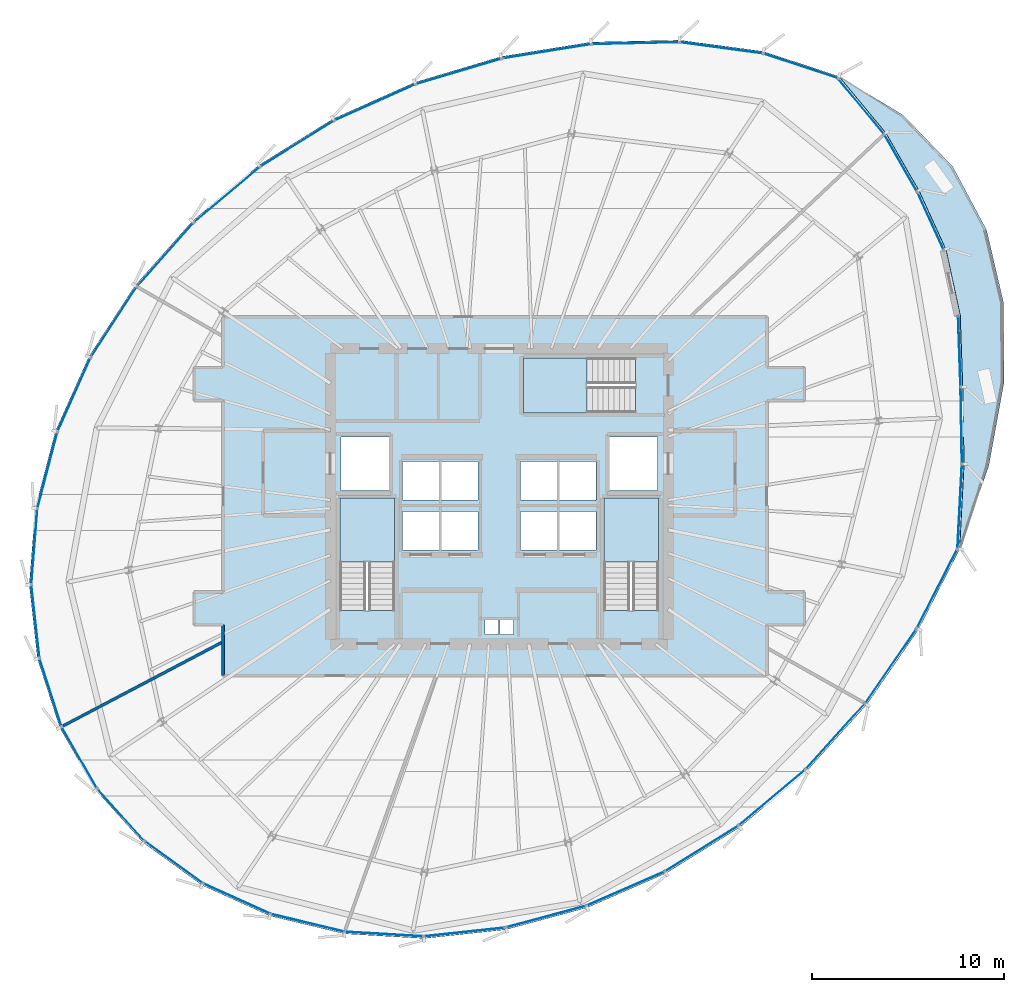
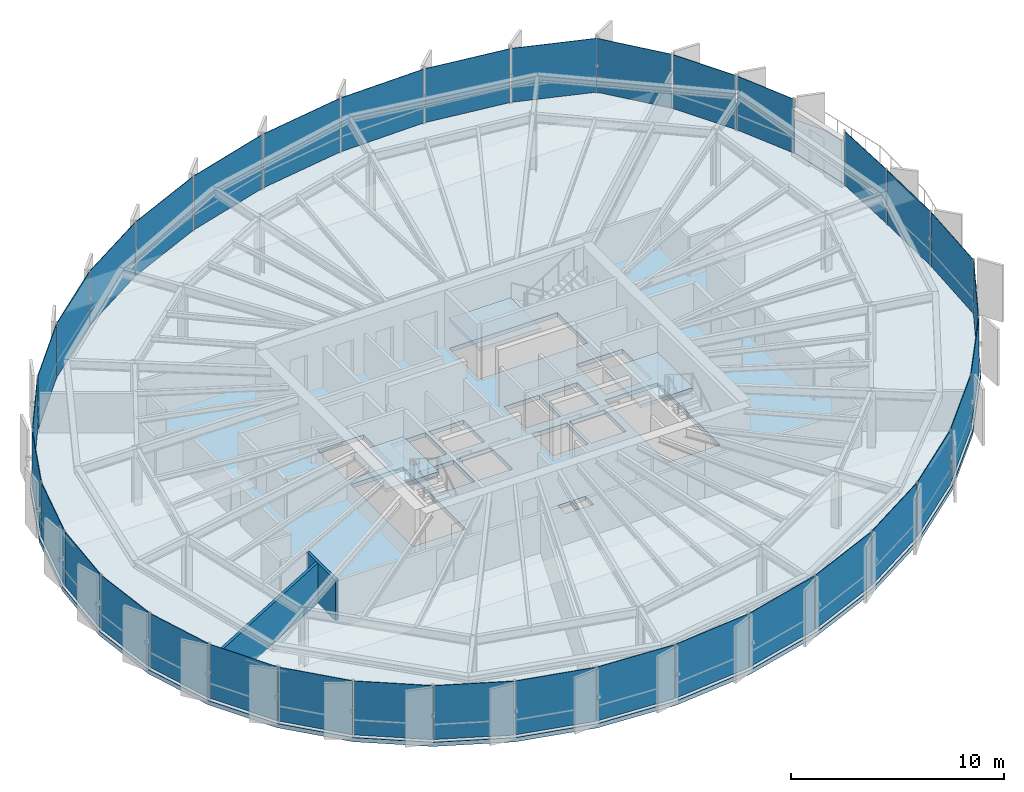
# One storey, part 29 of 35: 35 plates, 5 slabs, 2 walls, 10 elements without a shape of their own.
"""IFC4 building model written with IfcOpenShell, lengths in metres."""

from ifc_helpers import new_model, si_unit, direction, frame, frame_2d, origin, origin_2d, place, context, subcontext, project, spatial, polyline, rectangle, outline, extrude, source, transform, mapped, material, layer, layer_set, type_object, element, aggregate, save


model = new_model("IFC4")

# Units and contexts
model_context = context("Model", 3, precision=1e-05, world=origin(), true_north=direction((0.0, 1.0)))
body_context = subcontext(model_context, "Body", "Model", "MODEL_VIEW")
ifc_project = project(units=[si_unit("LENGTHUNIT", "METRE"), si_unit("AREAUNIT", "SQUARE_METRE"), si_unit("VOLUMEUNIT", "CUBIC_METRE"), si_unit("PLANEANGLEUNIT", "RADIAN"), si_unit("MASSUNIT", "GRAM", prefix="KILO"), si_unit("THERMODYNAMICTEMPERATUREUNIT", "KELVIN")], contexts=[model_context])

# Site, building, storey
site_placement = place(None, origin())
site = spatial("IfcSite", under=ifc_project, at=site_placement, CompositionType="ELEMENT")
building_placement = place(site_placement, origin())
building = spatial("IfcBuilding", under=site, at=building_placement, Name="Kethvar Cultural Tower", CompositionType="ELEMENT")
storey_placement = place(building_placement, frame((0.0, 0.0, 179.89990234375)))
storey = spatial("IfcBuildingStorey", under=building, at=storey_placement, Name="L46", CompositionType="ELEMENT", Elevation=179.89990234375)

# Stair, slab
ifc_material_1 = material(Name="Concrete C40/50", Category="concrete")
stair_type = type_object("IfcStairType", Name="ST-DOGLEG-135", PredefinedType="HALF_TURN_STAIR", material=ifc_material_1)
stair_1_placement = place(storey_placement, origin())
stair_1 = element("IfcStair", 1, at=stair_1_placement, inside=storey, type_object=stair_type, Name="L46 Core Exit Stair 1", PredefinedType="HALF_TURN_STAIR")
ifc_layer_1 = layer(ifc_material_1, 0.199951171875, Name="Concrete C40/50", Category="concrete")
ifc_layer_set_1 = layer_set([ifc_layer_1], Name="Concrete C40/50 (200 mm)")
slab_type_1 = type_object("IfcSlabType", Name="SL-STAIR-LANDING-200", PredefinedType="LANDING", material=ifc_layer_set_1)
slab_1_placement = place(storey_placement, frame((0.0, 0.0, 1.550048828125)))
slab_1 = element("IfcSlab", 2, at=slab_1_placement, type_object=slab_type_1, Name="ST-01 landing 1", PredefinedType="LANDING", context=body_context, shape_type="SweptSolid", body=[
    extrude(outline(polyline([(41.35009765625, 24.3701171875), (41.35009765625, 27.699951171875), (38.489990234375, 27.699951171875), (38.489990234375, 24.3701171875), (41.35009765625, 24.3701171875)])), origin(), (0.0, 0.0, 1.0), 0.199951171875),
])
aggregate(stair_1, [slab_1])

stair_2_placement = place(storey_placement, origin())
stair_2 = element("IfcStair", 3, at=stair_2_placement, inside=storey, type_object=stair_type, Name="L46 Core Exit Stair 2", PredefinedType="HALF_TURN_STAIR")
slab_2_placement = place(storey_placement, frame((0.0, 0.0, 1.550048828125)))
slab_2 = element("IfcSlab", 4, at=slab_2_placement, type_object=slab_type_1, Name="ST-02 landing 1", PredefinedType="LANDING", context=body_context, shape_type="SweptSolid", body=[
    extrude(outline(polyline([(55.110107421875, 24.3701171875), (55.110107421875, 27.699951171875), (52.25, 27.699951171875), (52.25, 24.3701171875), (55.110107421875, 24.3701171875)])), origin(), (0.0, 0.0, 1.0), 0.199951171875),
])
aggregate(stair_2, [slab_2])

stair_3_placement = place(storey_placement, origin())
stair_3 = element("IfcStair", 5, at=stair_3_placement, inside=storey, type_object=stair_type, Name="L46 Core Exit Stair 3", PredefinedType="HALF_TURN_STAIR")
slab_3_placement = place(storey_placement, frame((0.0, 0.0, 1.550048828125)))
slab_3 = element("IfcSlab", 6, at=slab_3_placement, type_object=slab_type_1, Name="ST-03 landing 1", PredefinedType="LANDING", context=body_context, shape_type="SweptSolid", body=[
    extrude(outline(polyline([(51.3798828125, 35.010009765625), (48.050048828125, 35.010009765625), (48.050048828125, 32.14990234375), (51.3798828125, 32.14990234375), (51.3798828125, 35.010009765625)])), origin(), (0.0, 0.0, 1.0), 0.199951171875),
])
aggregate(stair_3, [slab_3])

# Slabs
ifc_layer_2 = layer(ifc_material_1, 0.215087890625, Name="Concrete C40/50", Category="concrete")
ifc_layer_set_2 = layer_set([ifc_layer_2], Name="Concrete C40/50 (215 mm)")
slab_type_2 = type_object("IfcSlabType", Name="SL-TER-EXT", PredefinedType="FLOOR", material=ifc_layer_set_2)
slab_4_placement = place(storey_placement, frame((0.0, 0.0, -0.21484375)))
element("IfcSlab", 7, at=slab_4_placement, inside=storey, type_object=slab_type_2, Name="L46 Spiralling Sky Terrace Deck", PredefinedType="FLOOR", context=body_context, shape_type="SweptSolid", body=[
    extrude(outline(polyline([(70.796875, 25.033935546875), (72.318359375, 29.3896484375), (73.110107421875, 33.730224609375), (73.089111328125, 37.881103515625), (72.203125, 41.677490234375), (70.44287109375, 44.9775390625), (67.84814453125, 47.67138671875), (64.511474609375, 49.687255859375), (66.950439453125, 46.74169921875), (68.693603515625, 43.706787109375), (70.091064453125, 40.647216796875), (70.830078125, 37.2333984375), (70.959716796875, 33.50439453125), (71.02880859375, 29.47998046875), (70.796875, 25.033935546875)])), origin(), (0.0, 0.0, 1.0), 0.21484375),
])
ifc_layer_3 = layer(ifc_material_1, 0.239990234375, Name="Concrete C40/50", Category="concrete")
ifc_layer_set_3 = layer_set([ifc_layer_3], Name="Concrete C40/50 (240 mm)")
slab_type_3 = type_object("IfcSlabType", Name="SL-TOW-240", PredefinedType="FLOOR", material=ifc_layer_set_3)
slab_5_placement = place(storey_placement, frame((0.0, 0.0, -0.239990234375)))
element("IfcSlab", 8, at=slab_5_placement, inside=storey, type_object=slab_type_3, Name="L46 Structural Floor Slab", PredefinedType="FLOOR", context=body_context, shape_type="SweptSolid", body=[
    extrude(outline(polyline([(68.693603515625, 43.706787109375), (66.950439453125, 46.74169921875), (64.511474609375, 49.687255859375), (60.5703125, 50.98974609375), (56.197509765625, 51.578125), (51.584716796875, 51.47705078125), (46.9248046875, 50.727783203125), (42.39453125, 49.37890625), (38.139404296875, 47.47705078125), (34.26025390625, 45.0595703125), (30.794921875, 42.14111328125), (27.815673828125, 38.786865234375), (25.413330078125, 35.098876953125), (23.660888671875, 31.189208984375), (22.611328125, 27.17626953125), (22.296875, 23.1826171875), (22.726806640625, 19.3291015625), (23.888427734375, 15.73291015625), (25.74609375, 12.50341796875), (28.243408203125, 9.73876953125), (31.3046875, 7.522705078125), (34.836669921875, 5.923095703125), (38.732177734375, 4.988037109375), (42.872802734375, 4.74609375), (47.1328125, 5.20458984375), (51.382568359375, 6.349609375), (55.493408203125, 8.146484375), (59.339599609375, 10.54052734375), (62.837646484375, 13.482666015625), (65.96142578125, 16.94189453125), (68.644287109375, 20.83349609375), (70.796875, 25.033935546875), (71.02880859375, 29.47998046875), (70.959716796875, 33.50439453125), (70.830078125, 37.2333984375), (70.091064453125, 40.647216796875), (68.693603515625, 43.706787109375)]), holes=[polyline([(38.489990234375, 21.85009765625), (38.489990234375, 27.699951171875), (41.35009765625, 27.699951171875), (41.35009765625, 21.85009765625), (38.489990234375, 21.85009765625)]), polyline([(52.25, 21.85009765625), (52.25, 27.699951171875), (55.110107421875, 27.699951171875), (55.110107421875, 21.85009765625), (52.25, 21.85009765625)]), polyline([(53.89990234375, 32.14990234375), (48.050048828125, 32.14990234375), (48.050048828125, 35.010009765625), (53.89990234375, 35.010009765625), (53.89990234375, 32.14990234375)]), polyline([(41.75, 27.0), (43.64990234375, 27.0), (43.64990234375, 25.0), (41.75, 25.0), (41.75, 27.0)]), polyline([(43.800048828125, 27.0), (45.699951171875, 27.0), (45.699951171875, 25.0), (43.800048828125, 25.0), (43.800048828125, 27.0)]), polyline([(47.89990234375, 27.0), (49.800048828125, 27.0), (49.800048828125, 25.0), (47.89990234375, 25.0), (47.89990234375, 27.0)]), polyline([(49.949951171875, 27.0), (51.85009765625, 27.0), (51.85009765625, 25.0), (49.949951171875, 25.0), (49.949951171875, 27.0)]), polyline([(41.75, 29.60009765625), (43.64990234375, 29.60009765625), (43.64990234375, 27.60009765625), (41.75, 27.60009765625), (41.75, 29.60009765625)]), polyline([(43.800048828125, 29.60009765625), (45.699951171875, 29.60009765625), (45.699951171875, 27.60009765625), (43.800048828125, 27.60009765625), (43.800048828125, 29.60009765625)]), polyline([(47.89990234375, 29.60009765625), (49.800048828125, 29.60009765625), (49.800048828125, 27.60009765625), (47.89990234375, 27.60009765625), (47.89990234375, 29.60009765625)]), polyline([(49.949951171875, 29.60009765625), (51.85009765625, 29.60009765625), (51.85009765625, 27.60009765625), (49.949951171875, 27.60009765625), (49.949951171875, 29.60009765625)]), polyline([(38.550048828125, 30.89990234375), (41.050048828125, 30.89990234375), (41.050048828125, 28.10009765625), (38.550048828125, 28.10009765625), (38.550048828125, 30.89990234375)]), polyline([(52.550048828125, 30.89990234375), (55.050048828125, 30.89990234375), (55.050048828125, 28.10009765625), (52.550048828125, 28.10009765625), (52.550048828125, 30.89990234375)]), polyline([(46.050048828125, 21.35009765625), (46.75, 21.35009765625), (46.75, 20.60009765625), (46.050048828125, 20.60009765625), (46.050048828125, 21.35009765625)]), polyline([(46.85009765625, 21.35009765625), (47.550048828125, 21.35009765625), (47.550048828125, 20.60009765625), (46.85009765625, 20.60009765625), (46.85009765625, 21.35009765625)])]), origin(), (0.0, 0.0, 1.0), 0.239990234375),
])

# Curtain wall, plates
ifc_material_2 = material(Name="Aluminium 6063-T6", Category="aluminium")
ifc_layer_4 = layer(ifc_material_2, 0.179931640625, Name="Aluminium 6063-T6", Category="aluminium")
ifc_layer_set_4 = layer_set([ifc_layer_4], Name="Aluminium 6063-T6 (180 mm)")
curtain_wall_type = type_object("IfcCurtainWallType", Name="CW-SYS-04-Z34", PredefinedType="NOTDEFINED", material=ifc_layer_set_4)
curtain_wall_1_placement = place(storey_placement, origin())
curtain_wall_1 = element("IfcCurtainWall", 9, at=curtain_wall_1_placement, inside=storey, type_object=curtain_wall_type, Name="L46 Curtain Wall Run 01", PredefinedType="NOTDEFINED")
ifc_material_3 = material(Name="Insulated Low-E Solar Glass", Category="glass")
ifc_layer_5 = layer(ifc_material_3, 0.030029296875, Name="Insulated Low-E Solar Glass", Category="glass")
ifc_layer_set_5 = layer_set([ifc_layer_5], Name="Insulated Low-E Solar Glass (30 mm)")
plate_type = type_object("IfcPlateType", Name="CW-SYS-04-Z34-PNL", PredefinedType="CURTAIN_PANEL", material=ifc_layer_set_5)
shared_shape_1 = source(origin(), body_context, "Body", "SweptSolid", [
    extrude(rectangle(XDim=3.413818359375, YDim=0.030029296875, at=origin_2d()), origin(), (0.0, 0.0, 1.0), 3.080078125),
])
plate_1_placement = place(storey_placement, frame((67.726806640625, 45.16943359375, 0.090087890625), z_axis=(0.0, 0.0, 1.0), x_axis=(-0.498064034575, 0.867140252475, 0.0)))
plate_1 = element("IfcPlate", 10, at=plate_1_placement, type_object=plate_type, Name="CW-L46-R01 Vision Glazing Panel 1", PredefinedType="CURTAIN_PANEL", context=body_context, shape_type="MappedRepresentation", body=[
    mapped(shared_shape_1, transform((0.0, 0.0, 0.0), scale=1.0)),
])
shared_shape_2 = source(origin(), body_context, "Body", "SweptSolid", [
    extrude(rectangle(XDim=3.73779296875, YDim=0.030029296875, at=origin_2d()), origin(), (0.0, 0.0, 1.0), 3.080078125),
])
plate_2_placement = place(storey_placement, frame((65.646240234375, 48.144287109375, 0.090087890625), z_axis=(0.0, 0.0, 1.0), x_axis=(-0.637787014772, 0.770212778256, 0.0)))
plate_2 = element("IfcPlate", 11, at=plate_2_placement, type_object=plate_type, Name="CW-L46-R01 Vision Glazing Panel 2", PredefinedType="CURTAIN_PANEL", context=body_context, shape_type="MappedRepresentation", body=[
    mapped(shared_shape_2, transform((0.0, 0.0, 0.0), scale=1.0)),
])
shared_shape_3 = source(origin(), body_context, "Body", "SweptSolid", [
    extrude(rectangle(XDim=4.064453125, YDim=0.030029296875, at=origin_2d()), origin(), (0.0, 0.0, 1.0), 3.080078125),
])
plate_3_placement = place(storey_placement, frame((62.50634765625, 50.23388671875, 0.090087890625), z_axis=(0.0, 0.0, 1.0), x_axis=(-0.949491219244, 0.313793601875, 0.0)))
plate_3 = element("IfcPlate", 12, at=plate_3_placement, type_object=plate_type, Name="CW-L46-R01 Vision Glazing Panel 3", PredefinedType="CURTAIN_PANEL", context=body_context, shape_type="MappedRepresentation", body=[
    mapped(shared_shape_3, transform((0.0, 0.0, 0.0), scale=1.0)),
])
shared_shape_4 = source(origin(), body_context, "Body", "SweptSolid", [
    extrude(rectangle(XDim=4.32568359375, YDim=0.030029296875, at=origin_2d()), origin(), (0.0, 0.0, 1.0), 3.080078125),
])
plate_4_placement = place(storey_placement, frame((58.369140625, 51.1748046875, 0.090087890625), z_axis=(0.0, 0.0, 1.0), x_axis=(-0.9910671901, 0.133363505903, 0.0)))
plate_4 = element("IfcPlate", 13, at=plate_4_placement, type_object=plate_type, Name="CW-L46-R01 Vision Glazing Panel 4", PredefinedType="CURTAIN_PANEL", context=body_context, shape_type="MappedRepresentation", body=[
    mapped(shared_shape_4, transform((0.0, 0.0, 0.0), scale=1.0)),
])
shared_shape_5 = source(origin(), body_context, "Body", "SweptSolid", [
    extrude(rectangle(XDim=4.52734375, YDim=0.030029296875, at=origin_2d()), origin(), (0.0, 0.0, 1.0), 3.080078125),
])
plate_5_placement = place(storey_placement, frame((53.8935546875, 51.41748046875, 0.090087890625), z_axis=(0.0, 0.0, 1.0), x_axis=(-0.999759737149, -0.021919579749, 0.0)))
plate_5 = element("IfcPlate", 14, at=plate_5_placement, type_object=plate_type, Name="CW-L46-R01 Vision Glazing Panel 5", PredefinedType="CURTAIN_PANEL", context=body_context, shape_type="MappedRepresentation", body=[
    mapped(shared_shape_5, transform((0.0, 0.0, 0.0), scale=1.0)),
])
shared_shape_6 = source(origin(), body_context, "Body", "SweptSolid", [
    extrude(rectangle(XDim=4.63330078125, YDim=0.030029296875, at=origin_2d()), origin(), (0.0, 0.0, 1.0), 3.080078125),
])
plate_6_placement = place(storey_placement, frame((49.272216796875, 50.993896484375, 0.090087890625), z_axis=(0.0, 0.0, 1.0), x_axis=(-0.987325320626, -0.158709518463, 0.0)))
plate_6 = element("IfcPlate", 15, at=plate_6_placement, type_object=plate_type, Name="CW-L46-R01 Vision Glazing Panel 6", PredefinedType="CURTAIN_PANEL", context=body_context, shape_type="MappedRepresentation", body=[
    mapped(shared_shape_6, transform((0.0, 0.0, 0.0), scale=1.0)),
])
aggregate(curtain_wall_1, [plate_1, plate_2, plate_3, plate_4, plate_5, plate_6])

# Curtain wall, plate
curtain_wall_2_placement = place(storey_placement, origin())
curtain_wall_2 = element("IfcCurtainWall", 16, at=curtain_wall_2_placement, inside=storey, type_object=curtain_wall_type, Name="L46 Curtain Wall Run 06", PredefinedType="NOTDEFINED")
plate_7_placement = place(storey_placement, frame((69.62255859375, 22.98388671875, 0.090087890625), z_axis=(0.0, 0.0, 1.0), x_axis=(0.456057557415, 0.88995028194, 0.0)))
plate_7 = element("IfcPlate", 17, at=plate_7_placement, type_object=plate_type, Name="CW-L46-R06 Vision Glazing Panel 1", PredefinedType="CURTAIN_PANEL", context=body_context, shape_type="MappedRepresentation", body=[
    mapped(shared_shape_6, transform((0.0, 0.0, 0.0), scale=1.0)),
])

curtain_wall_3_placement = place(storey_placement, origin())
curtain_wall_3 = element("IfcCurtainWall", 18, at=curtain_wall_3_placement, inside=storey, type_object=curtain_wall_type, Name="L46 Curtain Wall Run 02", PredefinedType="NOTDEFINED")
shared_shape_7 = source(origin(), body_context, "Body", "SweptSolid", [
    extrude(rectangle(XDim=4.640380859375, YDim=0.030029296875, at=origin_2d()), origin(), (0.0, 0.0, 1.0), 3.080078125),
])
plate_8_placement = place(storey_placement, frame((44.691162109375, 49.947998046875, 0.090087890625), z_axis=(0.0, 0.0, 1.0), x_axis=(-0.958417259622, -0.285370559902, 0.0)))
plate_8 = element("IfcPlate", 19, at=plate_8_placement, type_object=plate_type, Name="CW-L46-R02 Vision Glazing Panel 1", PredefinedType="CURTAIN_PANEL", context=body_context, shape_type="MappedRepresentation", body=[
    mapped(shared_shape_7, transform((0.0, 0.0, 0.0), scale=1.0)),
])

curtain_wall_4_placement = place(storey_placement, origin())
curtain_wall_4 = element("IfcCurtainWall", 20, at=curtain_wall_4_placement, inside=storey, type_object=curtain_wall_type, Name="L46 Curtain Wall Run 05", PredefinedType="NOTDEFINED")
plate_9_placement = place(storey_placement, frame((67.21240234375, 18.9501953125, 0.090087890625), z_axis=(0.0, 0.0, 1.0), x_axis=(0.567556381667, 0.823334533242, 0.0)))
plate_9 = element("IfcPlate", 21, at=plate_9_placement, type_object=plate_type, Name="CW-L46-R05 Vision Glazing Panel 6", PredefinedType="CURTAIN_PANEL", context=body_context, shape_type="MappedRepresentation", body=[
    mapped(shared_shape_7, transform((0.0, 0.0, 0.0), scale=1.0)),
])

# Plate
shared_shape_8 = source(origin(), body_context, "Body", "SweptSolid", [
    extrude(rectangle(XDim=4.574462890625, YDim=0.030029296875, at=origin_2d()), origin(), (0.0, 0.0, 1.0), 3.080078125),
])
plate_10_placement = place(storey_placement, frame((40.311767578125, 48.32763671875, 0.090087890625), z_axis=(0.0, 0.0, 1.0), x_axis=(-0.912955291137, -0.408059599059, 0.0)))
plate_10 = element("IfcPlate", 22, at=plate_10_placement, type_object=plate_type, Name="CW-L46-R02 Vision Glazing Panel 2", PredefinedType="CURTAIN_PANEL", context=body_context, shape_type="MappedRepresentation", body=[
    mapped(shared_shape_8, transform((0.0, 0.0, 0.0), scale=1.0)),
])

plate_11_placement = place(storey_placement, frame((64.31787109375, 15.285888671875, 0.090087890625), z_axis=(0.0, 0.0, 1.0), x_axis=(0.670206440788, 0.742174727895, 0.0)))
plate_11 = element("IfcPlate", 23, at=plate_11_placement, type_object=plate_type, Name="CW-L46-R05 Vision Glazing Panel 5", PredefinedType="CURTAIN_PANEL", context=body_context, shape_type="MappedRepresentation", body=[
    mapped(shared_shape_8, transform((0.0, 0.0, 0.0), scale=1.0)),
])

shared_shape_9 = source(origin(), body_context, "Body", "SweptSolid", [
    extrude(rectangle(XDim=4.484375, YDim=0.030029296875, at=origin_2d()), origin(), (0.0, 0.0, 1.0), 3.080078125),
])
plate_12_placement = place(storey_placement, frame((36.258056640625, 46.1748046875, 0.090087890625), z_axis=(0.0, 0.0, 1.0), x_axis=(-0.8486671882, -0.528927219636, 0.0)))
plate_12 = element("IfcPlate", 24, at=plate_12_placement, type_object=plate_type, Name="CW-L46-R02 Vision Glazing Panel 3", PredefinedType="CURTAIN_PANEL", context=body_context, shape_type="MappedRepresentation", body=[
    mapped(shared_shape_9, transform((0.0, 0.0, 0.0), scale=1.0)),
])

plate_13_placement = place(storey_placement, frame((61.017822265625, 12.095703125, 0.090087890625), z_axis=(0.0, 0.0, 1.0), x_axis=(0.765292262603, 0.643682959849, 0.0)))
plate_13 = element("IfcPlate", 25, at=plate_13_placement, type_object=plate_type, Name="CW-L46-R05 Vision Glazing Panel 4", PredefinedType="CURTAIN_PANEL", context=body_context, shape_type="MappedRepresentation", body=[
    mapped(shared_shape_9, transform((0.0, 0.0, 0.0), scale=1.0)),
])

shared_shape_10 = source(origin(), body_context, "Body", "SweptSolid", [
    extrude(rectangle(XDim=4.4443359375, YDim=0.030029296875, at=origin_2d()), origin(), (0.0, 0.0, 1.0), 3.080078125),
])
plate_14_placement = place(storey_placement, frame((32.598388671875, 43.51611328125, 0.090087890625), z_axis=(0.0, 0.0, 1.0), x_axis=(-0.764887673636, -0.644163680069, 0.0)))
plate_14 = element("IfcPlate", 26, at=plate_14_placement, type_object=plate_type, Name="CW-L46-R02 Vision Glazing Panel 4", PredefinedType="CURTAIN_PANEL", context=body_context, shape_type="MappedRepresentation", body=[
    mapped(shared_shape_10, transform((0.0, 0.0, 0.0), scale=1.0)),
])

shared_shape_11 = source(origin(), body_context, "Body", "SweptSolid", [
    extrude(rectangle(XDim=4.39990234375, YDim=0.030029296875, at=origin_2d()), origin(), (0.0, 0.0, 1.0), 3.080078125),
])
plate_15_placement = place(storey_placement, frame((29.387451171875, 40.390869140625, 0.090087890625), z_axis=(0.0, 0.0, 1.0), x_axis=(-0.664082816555, -0.747659021718, 0.0)))
plate_15 = element("IfcPlate", 27, at=plate_15_placement, type_object=plate_type, Name="CW-L46-R02 Vision Glazing Panel 5", PredefinedType="CURTAIN_PANEL", context=body_context, shape_type="MappedRepresentation", body=[
    mapped(shared_shape_11, transform((0.0, 0.0, 0.0), scale=1.0)),
])

plate_16_placement = place(storey_placement, frame((53.393798828125, 7.348876953125, 0.090087890625), z_axis=(0.0, 0.0, 1.0), x_axis=(0.916292841518, 0.400508961926, 0.0)))
plate_16 = element("IfcPlate", 28, at=plate_16_placement, type_object=plate_type, Name="CW-L46-R05 Vision Glazing Panel 2", PredefinedType="CURTAIN_PANEL", context=body_context, shape_type="MappedRepresentation", body=[
    mapped(shared_shape_11, transform((0.0, 0.0, 0.0), scale=1.0)),
])

shared_shape_12 = source(origin(), body_context, "Body", "SweptSolid", [
    extrude(rectangle(XDim=4.31494140625, YDim=0.030029296875, at=origin_2d()), origin(), (0.0, 0.0, 1.0), 3.080078125),
])
plate_17_placement = place(storey_placement, frame((26.70654296875, 36.8828125, 0.090087890625), z_axis=(0.0, 0.0, 1.0), x_axis=(-0.545809508754, -0.837909291125, 0.0)))
plate_17 = element("IfcPlate", 29, at=plate_17_placement, type_object=plate_type, Name="CW-L46-R02 Vision Glazing Panel 6", PredefinedType="CURTAIN_PANEL", context=body_context, shape_type="MappedRepresentation", body=[
    mapped(shared_shape_12, transform((0.0, 0.0, 0.0), scale=1.0)),
])

aggregate(curtain_wall_3, [plate_8, plate_10, plate_12, plate_14, plate_15, plate_17])

plate_18_placement = place(storey_placement, frame((49.22900390625, 5.88330078125, 0.090087890625), z_axis=(0.0, 0.0, 1.0), x_axis=(0.965563505285, 0.260167479254, 0.0)))
plate_18 = element("IfcPlate", 30, at=plate_18_placement, type_object=plate_type, Name="CW-L46-R05 Vision Glazing Panel 1", PredefinedType="CURTAIN_PANEL", context=body_context, shape_type="MappedRepresentation", body=[
    mapped(shared_shape_12, transform((0.0, 0.0, 0.0), scale=1.0)),
])

# Curtain wall, plate
curtain_wall_5_placement = place(storey_placement, origin())
curtain_wall_5 = element("IfcCurtainWall", 31, at=curtain_wall_5_placement, inside=storey, type_object=curtain_wall_type, Name="L46 Curtain Wall Run 03", PredefinedType="NOTDEFINED")
shared_shape_13 = source(origin(), body_context, "Body", "SweptSolid", [
    extrude(rectangle(XDim=4.1982421875, YDim=0.030029296875, at=origin_2d()), origin(), (0.0, 0.0, 1.0), 3.080078125),
])
plate_19_placement = place(storey_placement, frame((24.637451171875, 33.09912109375, 0.090087890625), z_axis=(0.0, 0.0, 1.0), x_axis=(-0.409015419686, -0.912527471619, 0.0)))
plate_19 = element("IfcPlate", 32, at=plate_19_placement, type_object=plate_type, Name="CW-L46-R03 Vision Glazing Panel 1", PredefinedType="CURTAIN_PANEL", context=body_context, shape_type="MappedRepresentation", body=[
    mapped(shared_shape_13, transform((0.0, 0.0, 0.0), scale=1.0)),
])

curtain_wall_6_placement = place(storey_placement, origin())
curtain_wall_6 = element("IfcCurtainWall", 33, at=curtain_wall_6_placement, inside=storey, type_object=curtain_wall_type, Name="L46 Curtain Wall Run 04", PredefinedType="NOTDEFINED")
plate_20_placement = place(storey_placement, frame((44.9912109375, 5.084716796875, 0.090087890625), z_axis=(0.0, 0.0, 1.0), x_axis=(0.994256045993, 0.107027636651, 0.0)))
plate_20 = element("IfcPlate", 34, at=plate_20_placement, type_object=plate_type, Name="CW-L46-R04 Vision Glazing Panel 6", PredefinedType="CURTAIN_PANEL", context=body_context, shape_type="MappedRepresentation", body=[
    mapped(shared_shape_13, transform((0.0, 0.0, 0.0), scale=1.0)),
])

# Plate
shared_shape_14 = source(origin(), body_context, "Body", "SweptSolid", [
    extrude(rectangle(XDim=4.061279296875, YDim=0.030029296875, at=origin_2d()), origin(), (0.0, 0.0, 1.0), 3.080078125),
])
plate_21_placement = place(storey_placement, frame((23.24267578125, 29.15478515625, 0.090087890625), z_axis=(0.0, 0.0, 1.0), x_axis=(-0.252998176081, -0.967466755449, 0.0)))
plate_21 = element("IfcPlate", 35, at=plate_21_placement, type_object=plate_type, Name="CW-L46-R03 Vision Glazing Panel 2", PredefinedType="CURTAIN_PANEL", context=body_context, shape_type="MappedRepresentation", body=[
    mapped(shared_shape_14, transform((0.0, 0.0, 0.0), scale=1.0)),
])

plate_22_placement = place(storey_placement, frame((40.808837890625, 4.976806640625, 0.090087890625), z_axis=(0.0, 0.0, 1.0), x_axis=(0.998296298024, -0.058348104954, 0.0)))
plate_22 = element("IfcPlate", 36, at=plate_22_placement, type_object=plate_type, Name="CW-L46-R04 Vision Glazing Panel 5", PredefinedType="CURTAIN_PANEL", context=body_context, shape_type="MappedRepresentation", body=[
    mapped(shared_shape_14, transform((0.0, 0.0, 0.0), scale=1.0)),
])

shared_shape_15 = source(origin(), body_context, "Body", "SweptSolid", [
    extrude(rectangle(XDim=3.919921875, YDim=0.030029296875, at=origin_2d()), origin(), (0.0, 0.0, 1.0), 3.080078125),
])
plate_23_placement = place(storey_placement, frame((22.56396484375, 25.170654296875, 0.090087890625), z_axis=(0.0, 0.0, 1.0), x_axis=(-0.07851129409, -0.996913224258, 0.0)))
plate_23 = element("IfcPlate", 37, at=plate_23_placement, type_object=plate_type, Name="CW-L46-R03 Vision Glazing Panel 3", PredefinedType="CURTAIN_PANEL", context=body_context, shape_type="MappedRepresentation", body=[
    mapped(shared_shape_15, transform((0.0, 0.0, 0.0), scale=1.0)),
])

plate_24_placement = place(storey_placement, frame((36.81005859375, 5.5625, 0.090087890625), z_axis=(0.0, 0.0, 1.0), x_axis=(0.972378068586, -0.2334114216, 0.0)))
plate_24 = element("IfcPlate", 38, at=plate_24_placement, type_object=plate_type, Name="CW-L46-R04 Vision Glazing Panel 4", PredefinedType="CURTAIN_PANEL", context=body_context, shape_type="MappedRepresentation", body=[
    mapped(shared_shape_15, transform((0.0, 0.0, 0.0), scale=1.0)),
])

shared_shape_16 = source(origin(), body_context, "Body", "SweptSolid", [
    extrude(rectangle(XDim=3.791015625, YDim=0.030029296875, at=origin_2d()), origin(), (0.0, 0.0, 1.0), 3.080078125),
])
plate_25_placement = place(storey_placement, frame((22.62109375, 21.267822265625, 0.090087890625), z_axis=(0.0, 0.0, 1.0), x_axis=(0.110896544517, -0.993831955823, 0.0)))
plate_25 = element("IfcPlate", 39, at=plate_25_placement, type_object=plate_type, Name="CW-L46-R03 Vision Glazing Panel 4", PredefinedType="CURTAIN_PANEL", context=body_context, shape_type="MappedRepresentation", body=[
    mapped(shared_shape_16, transform((0.0, 0.0, 0.0), scale=1.0)),
])

plate_26_placement = place(storey_placement, frame((33.115966796875, 6.8232421875, 0.090087890625), z_axis=(0.0, 0.0, 1.0), x_axis=(0.910921440814, -0.4125798452, 0.0)))
plate_26 = element("IfcPlate", 40, at=plate_26_placement, type_object=plate_type, Name="CW-L46-R04 Vision Glazing Panel 3", PredefinedType="CURTAIN_PANEL", context=body_context, shape_type="MappedRepresentation", body=[
    mapped(shared_shape_16, transform((0.0, 0.0, 0.0), scale=1.0)),
])

shared_shape_17 = source(origin(), body_context, "Body", "SweptSolid", [
    extrude(rectangle(XDim=3.692626953125, YDim=0.030029296875, at=origin_2d()), origin(), (0.0, 0.0, 1.0), 3.080078125),
])
plate_27_placement = place(storey_placement, frame((23.412353515625, 17.564697265625, 0.090087890625), z_axis=(0.0, 0.0, 1.0), x_axis=(0.3073566178, -0.951594403879, 0.0)))
plate_27 = element("IfcPlate", 41, at=plate_27_placement, type_object=plate_type, Name="CW-L46-R03 Vision Glazing Panel 5", PredefinedType="CURTAIN_PANEL", context=body_context, shape_type="MappedRepresentation", body=[
    mapped(shared_shape_17, transform((0.0, 0.0, 0.0), scale=1.0)),
])

plate_28_placement = place(storey_placement, frame((29.83837890625, 8.719970703125, 0.090087890625), z_axis=(0.0, 0.0, 1.0), x_axis=(0.810031406194, -0.58638649454, 0.0)))
plate_28 = element("IfcPlate", 42, at=plate_28_placement, type_object=plate_type, Name="CW-L46-R04 Vision Glazing Panel 2", PredefinedType="CURTAIN_PANEL", context=body_context, shape_type="MappedRepresentation", body=[
    mapped(shared_shape_17, transform((0.0, 0.0, 0.0), scale=1.0)),
])

shared_shape_18 = source(origin(), body_context, "Body", "SweptSolid", [
    extrude(rectangle(XDim=3.639404296875, YDim=0.030029296875, at=origin_2d()), origin(), (0.0, 0.0, 1.0), 3.080078125),
])
plate_29_placement = place(storey_placement, frame((24.91259765625, 14.173095703125, 0.090087890625), z_axis=(0.0, 0.0, 1.0), x_axis=(0.498623905426, -0.86681843597, 0.0)))
plate_29 = element("IfcPlate", 43, at=plate_29_placement, type_object=plate_type, Name="CW-L46-R03 Vision Glazing Panel 6", PredefinedType="CURTAIN_PANEL", context=body_context, shape_type="MappedRepresentation", body=[
    mapped(shared_shape_18, transform((0.0, 0.0, 0.0), scale=1.0)),
])

aggregate(curtain_wall_5, [plate_19, plate_21, plate_23, plate_25, plate_27, plate_29])

shared_shape_19 = source(origin(), body_context, "Body", "SweptSolid", [
    extrude(rectangle(XDim=3.63916015625, YDim=0.030029296875, at=origin_2d()), origin(), (0.0, 0.0, 1.0), 3.080078125),
])
plate_30_placement = place(storey_placement, frame((27.076416015625, 11.19482421875, 0.090087890625), z_axis=(0.0, 0.0, 1.0), x_axis=(0.670323013053, -0.742069442958, 0.0)))
plate_30 = element("IfcPlate", 44, at=plate_30_placement, type_object=plate_type, Name="CW-L46-R04 Vision Glazing Panel 1", PredefinedType="CURTAIN_PANEL", context=body_context, shape_type="MappedRepresentation", body=[
    mapped(shared_shape_19, transform((0.0, 0.0, 0.0), scale=1.0)),
])

aggregate(curtain_wall_6, [plate_30, plate_28, plate_26, plate_24, plate_22, plate_20])

shared_shape_20 = source(origin(), body_context, "Body", "SweptSolid", [
    extrude(rectangle(XDim=4.444091796875, YDim=0.030029296875, at=origin_2d()), origin(), (0.0, 0.0, 1.0), 3.080078125),
])
plate_31_placement = place(storey_placement, frame((57.3583984375, 9.43701171875, 0.090087890625), z_axis=(0.0, 0.0, 1.0), x_axis=(0.84899013309, 0.528408699698, 0.0)))
plate_31 = element("IfcPlate", 45, at=plate_31_placement, type_object=plate_type, Name="CW-L46-R05 Vision Glazing Panel 3", PredefinedType="CURTAIN_PANEL", context=body_context, shape_type="MappedRepresentation", body=[
    mapped(shared_shape_20, transform((0.0, 0.0, 0.0), scale=1.0)),
])

aggregate(curtain_wall_4, [plate_18, plate_16, plate_31, plate_13, plate_11, plate_9])

shared_shape_21 = source(origin(), body_context, "Body", "SweptSolid", [
    extrude(rectangle(XDim=4.365478515625, YDim=0.030029296875, at=origin_2d()), origin(), (0.0, 0.0, 1.0), 3.080078125),
])
plate_32_placement = place(storey_placement, frame((70.802978515625, 27.2626953125, 0.090087890625), z_axis=(0.0, 0.0, 1.0), x_axis=(0.052126802616, 0.998640474069, 0.0)))
plate_32 = element("IfcPlate", 46, at=plate_32_placement, type_object=plate_type, Name="CW-L46-R06 Vision Glazing Panel 2", PredefinedType="CURTAIN_PANEL", context=body_context, shape_type="MappedRepresentation", body=[
    mapped(shared_shape_21, transform((0.0, 0.0, 0.0), scale=1.0)),
])

shared_shape_22 = source(origin(), body_context, "Body", "SweptSolid", [
    extrude(rectangle(XDim=3.938720703125, YDim=0.030029296875, at=origin_2d()), origin(), (0.0, 0.0, 1.0), 3.080078125),
])
plate_33_placement = place(storey_placement, frame((70.884521484375, 31.490234375, 0.090087890625), z_axis=(0.0, 0.0, 1.0), x_axis=(-0.017173195612, 0.999852529803, 0.0)))
plate_33 = element("IfcPlate", 47, at=plate_33_placement, type_object=plate_type, Name="CW-L46-R06 Vision Glazing Panel 3", PredefinedType="CURTAIN_PANEL", context=body_context, shape_type="MappedRepresentation", body=[
    mapped(shared_shape_22, transform((0.0, 0.0, 0.0), scale=1.0)),
])

shared_shape_23 = source(origin(), body_context, "Body", "SweptSolid", [
    extrude(rectangle(XDim=3.644775390625, YDim=0.030029296875, at=origin_2d()), origin(), (0.0, 0.0, 1.0), 3.080078125),
])
plate_34_placement = place(storey_placement, frame((70.784912109375, 35.364990234375, 0.090087890625), z_axis=(0.0, 0.0, 1.0), x_axis=(-0.034759955079, 0.999395690166, 0.0)))
plate_34 = element("IfcPlate", 48, at=plate_34_placement, type_object=plate_type, Name="CW-L46-R06 Vision Glazing Panel 4", PredefinedType="CURTAIN_PANEL", context=body_context, shape_type="MappedRepresentation", body=[
    mapped(shared_shape_23, transform((0.0, 0.0, 0.0), scale=1.0)),
])

aggregate(curtain_wall_2, [plate_7, plate_32, plate_33, plate_34])

# Curtain wall, plate
curtain_wall_7_placement = place(storey_placement, origin())
curtain_wall_7 = element("IfcCurtainWall", 49, at=curtain_wall_7_placement, inside=storey, type_object=curtain_wall_type, Name="L46 Curtain Wall Run 07", PredefinedType="NOTDEFINED")
shared_shape_24 = source(origin(), body_context, "Body", "SweptSolid", [
    extrude(rectangle(XDim=3.277099609375, YDim=0.030029296875, at=origin_2d()), origin(), (0.0, 0.0, 1.0), 3.080078125),
])
plate_35_placement = place(storey_placement, frame((69.292236328125, 42.131103515625, 0.090087890625), z_axis=(0.0, 0.0, 1.0), x_axis=(-0.4154395486, 0.909620789922, 0.0)))
plate_35 = element("IfcPlate", 50, at=plate_35_placement, type_object=plate_type, Name="CW-L46-R07 Vision Glazing Panel 1", PredefinedType="CURTAIN_PANEL", context=body_context, shape_type="MappedRepresentation", body=[
    mapped(shared_shape_24, transform((0.0, 0.0, 0.0), scale=1.0)),
])
aggregate(curtain_wall_7, [plate_35])

# Walls
ifc_material_4 = material(Name="Gypsum Fireboard Partition")
ifc_layer_6 = layer(ifc_material_4, 0.14990234375, Name="Gypsum Fireboard Partition")
ifc_layer_set_6 = layer_set([ifc_layer_6], Name="Gypsum Fireboard Partition (150 mm)")
wall_type_1 = type_object("IfcWallType", Name="WL-FIRE-150", PredefinedType="PARTITIONING", material=ifc_layer_set_6)
wall_1_placement = place(storey_placement, frame((32.39990234375, 21.10009765625, 0.0), z_axis=(0.0, 0.0, 1.0), x_axis=(0.0, -1.0, 0.0)))
element("IfcWall", 51, at=wall_1_placement, inside=storey, type_object=wall_type_1, Name="L46 Corridor Rated Wall W1", PredefinedType="PARTITIONING", context=body_context, shape_type="SweptSolid", body=[
    extrude(rectangle(XDim=2.650146484375, YDim=0.14990234375, at=frame_2d((1.3251953125, 0.0))), origin(), (0.0, 0.0, 1.0), 2.280029296875),
])
ifc_material_5 = material(Name="Gypsum Acoustic Partition")
ifc_layer_7 = layer(ifc_material_5, 0.14990234375, Name="Gypsum Acoustic Partition")
ifc_layer_set_7 = layer_set([ifc_layer_7], Name="Gypsum Acoustic Partition (150 mm)")
wall_type_2 = type_object("IfcWallType", Name="WL-PART-150", PredefinedType="PARTITIONING", material=ifc_layer_set_7)
wall_2_placement = place(storey_placement, frame((32.3291015625, 20.178466796875, 0.0), z_axis=(0.0, 0.0, 1.0), x_axis=(-0.884982922919, -0.465623481089, 0.0)))
element("IfcWall", 52, at=wall_2_placement, inside=storey, type_object=wall_type_2, Name="L46 Radial Partition Wall 01", PredefinedType="PARTITIONING", context=body_context, shape_type="SweptSolid", body=[
    extrude(rectangle(XDim=9.329833984375, YDim=0.14990234375, at=frame_2d((4.6650390625, 0.0))), origin(), (0.0, 0.0, 1.0), 2.280029296875),
])

save(model, "model.ifc")
